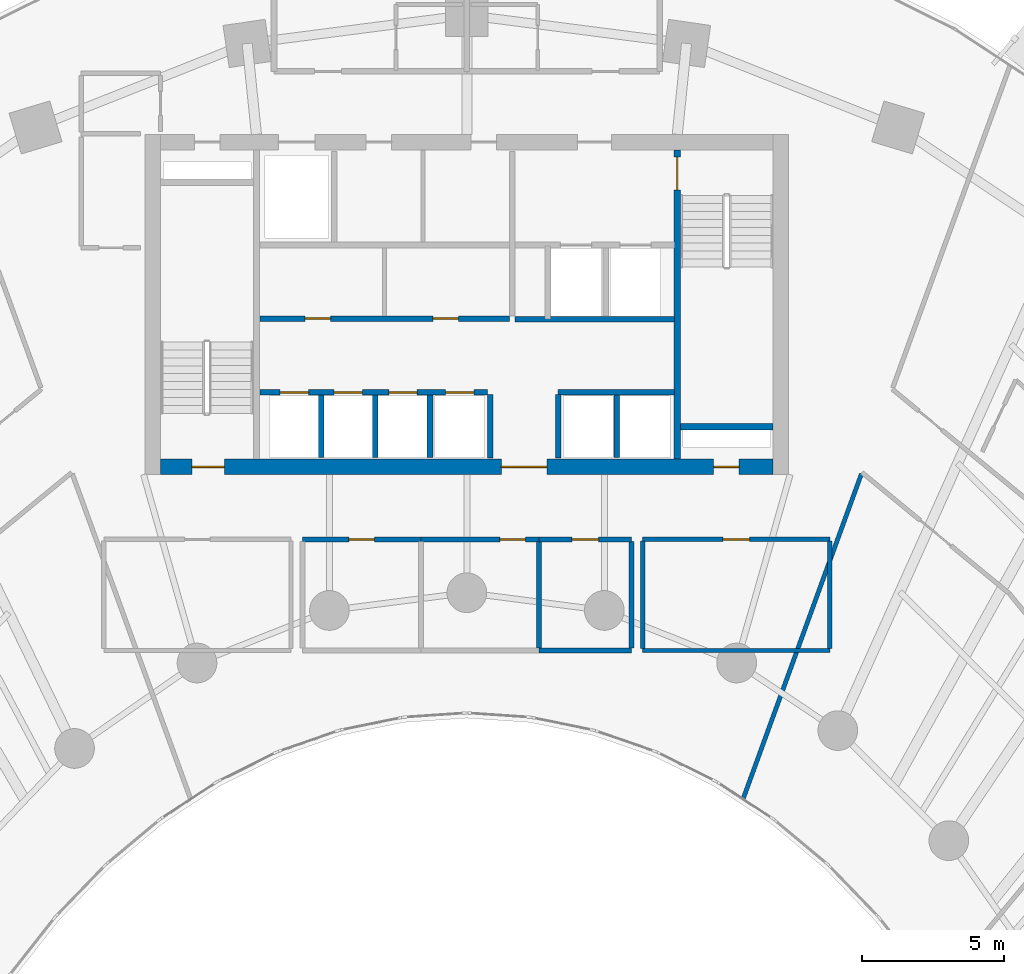
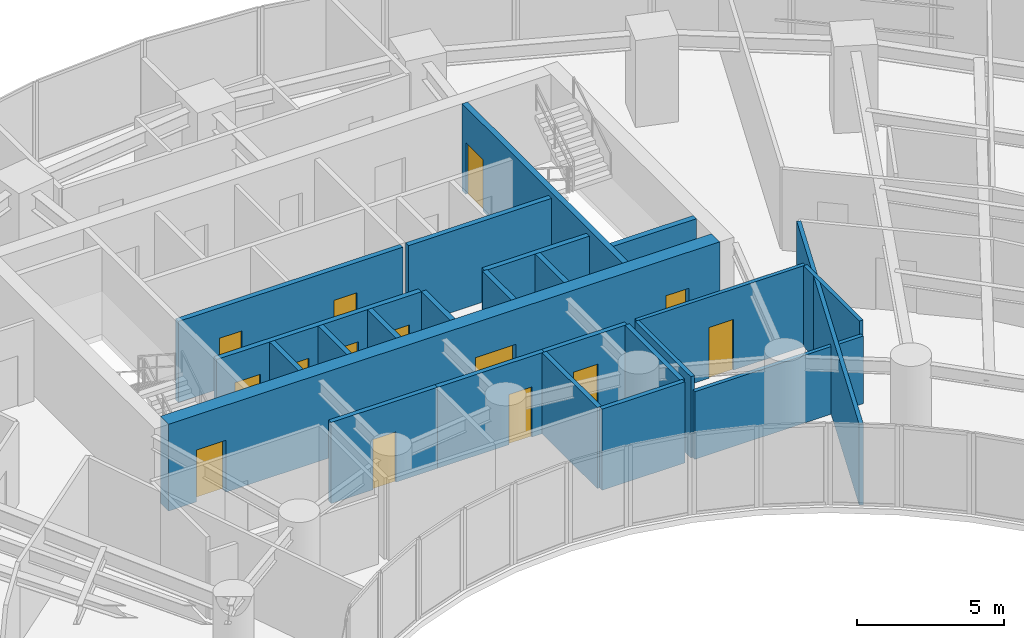
# One storey, part 12 of 17: 24 walls, 14 doors, 14 openings.
"""IFC4 building model written with IfcOpenShell, lengths in metres."""

from ifc_helpers import new_model, si_unit, direction, frame, frame_2d, origin, place, context, subcontext, project, spatial, rectangle, extrude, source, transform, mapped, material, layer, layer_set, type_object, type_shapes, element, fill, save


model = new_model("IFC4")

# Units and contexts
model_context = context("Model", 3, precision=1e-05, world=origin(), true_north=direction((0.0, 1.0)))
body_context = subcontext(model_context, "Body", "Model", "MODEL_VIEW")
ifc_project = project(units=[si_unit("LENGTHUNIT", "METRE"), si_unit("AREAUNIT", "SQUARE_METRE"), si_unit("VOLUMEUNIT", "CUBIC_METRE"), si_unit("PLANEANGLEUNIT", "RADIAN"), si_unit("MASSUNIT", "GRAM", prefix="KILO")], contexts=[model_context])

# Site, building, storey
site_placement = place(None, origin())
site = spatial("IfcSite", under=ifc_project, at=site_placement, CompositionType="ELEMENT")
building_placement = place(site_placement, origin())
building = spatial("IfcBuilding", under=site, at=building_placement, Name="Breltana Convention Tower", CompositionType="ELEMENT")
storey_placement = place(building_placement, frame((0.0, 0.0, 46.199951171875)))
storey = spatial("IfcBuildingStorey", under=building, at=storey_placement, Name="L09", CompositionType="ELEMENT", Elevation=46.199951171875)

# Wall, openings, doors
ifc_material_1 = material(Name="Concrete C60/75", Category="concrete")
ifc_layer_1 = layer(ifc_material_1, 0.550048828125, Name="Concrete C60/75")
ifc_layer_set_1 = layer_set([ifc_layer_1], Name="Concrete C60/75")
wall_type_1 = type_object("IfcWallType", Name="SW-CORE-550", PredefinedType="SHEAR", material=ifc_layer_set_1)
shared_shape_1 = source(origin(), body_context, "Body", "SweptSolid", [
    extrude(rectangle(XDim=21.60009765625, YDim=0.550048828125, at=frame_2d((10.800048828125, 0.0))), origin(), (0.0, 0.0, 1.0), 3.60009765625),
])
wall_1_placement = place(storey_placement, frame((37.199951171875, 60.47509765625, 0.0), z_axis=(0.0, 0.0, 1.0), x_axis=(1.0, 0.0, 0.0)))
wall_1 = element("IfcWall", 1, at=wall_1_placement, inside=storey, type_object=wall_type_1, Name="L09 South Core Shear Wall", PredefinedType="SHEAR", context=body_context, shape_type="MappedRepresentation", body=[
    mapped(shared_shape_1, transform((0.0, 0.0, 0.0), scale=1.0)),
])
opening_1_placement = place(wall_1_placement, frame((1.10009765625, 0.0, 0.0)))
opening_1 = element("IfcOpeningElement", 2, at=opening_1_placement, cuts=wall_1, Name="Opening D-11", PredefinedType="OPENING", context=body_context, shape_type="SweptSolid", body=[
    extrude(rectangle(XDim=1.14990234375, YDim=2.14990234375, at=frame_2d((0.574951171875, 1.074951171875))), frame((0.0, 0.28515625, 0.0), z_axis=(0.0, -1.0, 0.0), x_axis=(1.0, 0.0, 0.0)), (0.0, 0.0, 1.0), 0.570068359375),
])
opening_2_placement = place(wall_1_placement, frame((19.5, 0.0, 0.0)))
opening_2 = element("IfcOpeningElement", 3, at=opening_2_placement, cuts=wall_1, Name="Opening D-18", PredefinedType="OPENING", context=body_context, shape_type="SweptSolid", body=[
    extrude(rectangle(XDim=0.89990234375, YDim=2.10009765625, at=frame_2d((0.449951171875, 1.050048828125))), frame((0.0, 0.28515625, 0.0), z_axis=(0.0, -1.0, 0.0), x_axis=(1.0, 0.0, 0.0)), (0.0, 0.0, 1.0), 0.570068359375),
])
opening_3_placement = place(wall_1_placement, frame((12.02001953125, 0.0, 0.0)))
opening_3 = element("IfcOpeningElement", 4, at=opening_3_placement, cuts=wall_1, Name="Opening D-02", PredefinedType="OPENING", context=body_context, shape_type="SweptSolid", body=[
    extrude(rectangle(XDim=1.60009765625, YDim=2.14990234375, at=frame_2d((0.800048828125, 1.074951171875))), frame((0.0, 0.28515625, 0.0), z_axis=(0.0, -1.0, 0.0), x_axis=(1.0, 0.0, 0.0)), (0.0, 0.0, 1.0), 0.570068359375),
])
ifc_material_2 = material(Name="Steel Stair Exit Door", Category="steel")
door_type_1 = type_object("IfcDoorType", Name="DR-FD120-1150", OperationType="NOTDEFINED", PredefinedType="DOOR", material=ifc_material_2)
shared_shape_2 = source(origin(), body_context, "Body", "SweptSolid", [
    extrude(rectangle(XDim=1.14990234375, YDim=2.14990234375, at=frame_2d((0.574951171875, 1.074951171875))), frame((0.0, 0.02490234375, 0.0), z_axis=(0.0, -1.0, 0.0), x_axis=(1.0, 0.0, 0.0)), (0.0, 0.0, 1.0), 0.050048828125),
])
type_shapes(door_type_1, [shared_shape_2])
door_1_placement = place(opening_1_placement, origin())
door_1 = element("IfcDoor", 5, at=door_1_placement, inside=storey, type_object=door_type_1, Name="L09 interior door D-L09-ST1", OperationType="SINGLE_SWING_LEFT", OverallHeight=2.14990234375, OverallWidth=1.14990234375, PredefinedType="DOOR", context=body_context, shape_type="MappedRepresentation", body=[
    mapped(shared_shape_2, transform((0.0, 0.0, 0.0), scale=1.0)),
])
fill(opening_1, door_1)
ifc_material_3 = material(Name="Steel Riser Fire Door", Category="steel")
door_type_2 = type_object("IfcDoorType", Name="DR-FD60-900", OperationType="NOTDEFINED", PredefinedType="DOOR", material=ifc_material_3)
shared_shape_3 = source(origin(), body_context, "Body", "SweptSolid", [
    extrude(rectangle(XDim=0.89990234375, YDim=2.10009765625, at=frame_2d((0.449951171875, 1.050048828125))), frame((0.0, 0.02490234375, 0.0), z_axis=(0.0, -1.0, 0.0), x_axis=(1.0, 0.0, 0.0)), (0.0, 0.0, 1.0), 0.050048828125),
])
type_shapes(door_type_2, [shared_shape_3])
door_2_placement = place(opening_2_placement, origin())
door_2 = element("IfcDoor", 6, at=door_2_placement, inside=storey, type_object=door_type_2, Name="L09 Core Riser Access Door D-L09-RS2", OperationType="SINGLE_SWING_RIGHT", OverallHeight=2.10009765625, OverallWidth=0.89990234375, PredefinedType="DOOR", context=body_context, shape_type="MappedRepresentation", body=[
    mapped(shared_shape_3, transform((0.0, 0.0, 0.0), scale=1.0)),
])
fill(opening_2, door_2)
ifc_material_4 = material(Name="Steel Glazed Smoke-Control Door", Category="steel")
door_type_3 = type_object("IfcDoorType", Name="DR-DBL-FD90-1600", OperationType="DOUBLE_DOOR_SINGLE_SWING", PredefinedType="DOOR", material=ifc_material_4)
shared_shape_4 = source(origin(), body_context, "Body", "SweptSolid", [
    extrude(rectangle(XDim=1.60009765625, YDim=2.14990234375, at=frame_2d((0.800048828125, 1.074951171875))), frame((0.0, 0.02490234375, 0.0), z_axis=(0.0, -1.0, 0.0), x_axis=(1.0, 0.0, 0.0)), (0.0, 0.0, 1.0), 0.050048828125),
])
type_shapes(door_type_3, [shared_shape_4])
door_3_placement = place(opening_3_placement, origin())
door_3 = element("IfcDoor", 7, at=door_3_placement, inside=storey, type_object=door_type_3, Name="L09 interior door D-L09-LLB-S", OperationType="DOUBLE_DOOR_SINGLE_SWING", OverallHeight=2.14990234375, OverallWidth=1.60009765625, PredefinedType="DOOR", context=body_context, shape_type="MappedRepresentation", body=[
    mapped(shared_shape_4, transform((0.0, 0.0, 0.0), scale=1.0)),
])
fill(opening_3, door_3)

# Wall
ifc_material_5 = material(Name="Concrete C50/60", Category="concrete")
ifc_layer_2 = layer(ifc_material_5, 0.39990234375, Name="Concrete C50/60")
ifc_layer_set_2 = layer_set([ifc_layer_2], Name="Concrete C50/60")
wall_type_2 = type_object("IfcWallType", Name="SW-CORE-400", PredefinedType="SHEAR", material=ifc_layer_set_2)
shared_shape_5 = source(origin(), body_context, "Body", "SweptSolid", [
    extrude(rectangle(XDim=3.27001953125, YDim=0.219970703125, at=frame_2d((1.635009765625, 0.0))), origin(), (0.0, 0.0, 1.0), 3.60009765625),
])
wall_2_placement = place(storey_placement, frame((55.530029296875, 61.889892578125, 0.0), z_axis=(0.0, 0.0, 1.0), x_axis=(1.0, 0.0, 0.0)))
element("IfcWall", 8, at=wall_2_placement, inside=storey, type_object=wall_type_2, Name="L09 ST-2 Stairwell South Bearing Wall", PredefinedType="SHEAR", context=body_context, shape_type="MappedRepresentation", body=[
    mapped(shared_shape_5, transform((0.0, 0.0, 0.0), scale=1.0)),
])

# Wall, opening, door
shared_shape_6 = source(origin(), body_context, "Body", "SweptSolid", [
    extrude(rectangle(XDim=10.89990234375, YDim=0.219970703125, at=frame_2d((5.449951171875, 0.0))), origin(), (0.0, 0.0, 1.0), 3.60009765625),
])
wall_3_placement = place(storey_placement, frame((55.419921875, 60.75, 0.0), z_axis=(0.0, 0.0, 1.0), x_axis=(0.0, 1.0, 0.0)))
wall_3 = element("IfcWall", 9, at=wall_3_placement, inside=storey, type_object=wall_type_2, Name="L09 Core East Stair Spine Wall", PredefinedType="SHEAR", context=body_context, shape_type="MappedRepresentation", body=[
    mapped(shared_shape_6, transform((0.0, 0.0, 0.0), scale=1.0)),
])
opening_4_placement = place(wall_3_placement, frame((9.4951171875, 0.0, 0.0)))
opening_4 = element("IfcOpeningElement", 10, at=opening_4_placement, cuts=wall_3, Name="Opening D-11", PredefinedType="OPENING", context=body_context, shape_type="SweptSolid", body=[
    extrude(rectangle(XDim=1.14990234375, YDim=2.14990234375, at=frame_2d((0.574951171875, 1.074951171875))), frame((0.0, 0.1201171875, 0.0), z_axis=(0.0, -1.0, 0.0), x_axis=(1.0, 0.0, 0.0)), (0.0, 0.0, 1.0), 0.239990234375),
])
door_4_placement = place(opening_4_placement, origin())
door_4 = element("IfcDoor", 11, at=door_4_placement, inside=storey, type_object=door_type_1, Name="L09 interior door D-L09-ST2", OperationType="SINGLE_SWING_LEFT", OverallHeight=2.14990234375, OverallWidth=1.14990234375, PredefinedType="DOOR", context=body_context, shape_type="MappedRepresentation", body=[
    mapped(shared_shape_2, transform((0.0, 0.0, 0.0), scale=1.0)),
])
fill(opening_4, door_4)

# Walls
ifc_material_6 = material(Name="Autoclaved Aerated Concrete Block", Category="concrete")
ifc_layer_3 = layer(ifc_material_6, 0.199951171875, Name="Autoclaved Aerated Concrete Block")
ifc_layer_set_3 = layer_set([ifc_layer_3], Name="Autoclaved Aerated Concrete Block")
wall_type_3 = type_object("IfcWallType", Name="WL-SHAFT-200", PredefinedType="SOLIDWALL", material=ifc_layer_set_3)
shared_shape_7 = source(origin(), body_context, "Body", "SweptSolid", [
    extrude(rectangle(XDim=2.239990234375, YDim=0.199951171875, at=frame_2d((1.1201171875, 0.0))), origin(), (0.0, 0.0, 1.0), 3.360107421875),
])
for number, where, z_axis, x_axis, name in (
    (12, (48.820068359375, 60.780029296875, 0.0), (0.0, 0.0, 1.0), (0.0, 1.0, 0.0), "L09 interior partition W-L09-PORT-W"),
    (13, (51.219970703125, 60.780029296875, 0.0), (0.0, 0.0, 1.0), (0.0, 1.0, 0.0), "L09 interior partition W-L09-PORT-E"),
):
    element("IfcWall", number, at=place(storey_placement, frame(where, z_axis=z_axis, x_axis=x_axis)), inside=storey, type_object=wall_type_3, Name=name, PredefinedType="SOLIDWALL", context=body_context, shape_type="MappedRepresentation", body=[
        mapped(shared_shape_7, transform((0.0, 0.0, 0.0), scale=1.0)),
    ])
shared_shape_8 = source(origin(), body_context, "Body", "SweptSolid", [
    extrude(rectangle(XDim=5.6201171875, YDim=0.199951171875, at=frame_2d((2.81005859375, 0.0))), origin(), (0.0, 0.0, 1.0), 3.360107421875),
])
wall_4_placement = place(storey_placement, frame((49.699951171875, 65.679931640625, 0.0), z_axis=(0.0, 0.0, 1.0), x_axis=(1.0, 0.0, 0.0)))
element("IfcWall", 14, at=wall_4_placement, inside=storey, type_object=wall_type_3, Name="L09 interior partition W-L09-FL-S", PredefinedType="SOLIDWALL", context=body_context, shape_type="MappedRepresentation", body=[
    mapped(shared_shape_8, transform((0.0, 0.0, 0.0), scale=1.0)),
])

# Wall, openings, doors
shared_shape_9 = source(origin(), body_context, "Body", "SweptSolid", [
    extrude(rectangle(XDim=8.800048828125, YDim=0.199951171875, at=frame_2d((4.39990234375, 0.0))), origin(), (0.0, 0.0, 1.0), 3.360107421875),
])
wall_5_placement = place(storey_placement, frame((40.699951171875, 65.699951171875, 0.0), z_axis=(0.0, 0.0, 1.0), x_axis=(1.0, 0.0, 0.0)))
wall_5 = element("IfcWall", 15, at=wall_5_placement, inside=storey, type_object=wall_type_3, Name="L09 interior partition W-L09-SH-M-FRONT", PredefinedType="SOLIDWALL", context=body_context, shape_type="MappedRepresentation", body=[
    mapped(shared_shape_9, transform((0.0, 0.0, 0.0), scale=1.0)),
])
opening_5_placement = place(wall_5_placement, frame((1.60009765625, 0.0, 0.0)))
opening_5 = element("IfcOpeningElement", 16, at=opening_5_placement, cuts=wall_5, Name="Opening D-18", PredefinedType="OPENING", context=body_context, shape_type="SweptSolid", body=[
    extrude(rectangle(XDim=0.89990234375, YDim=2.10009765625, at=frame_2d((0.449951171875, 1.050048828125))), frame((0.0, 0.10986328125, 0.0), z_axis=(0.0, -1.0, 0.0), x_axis=(1.0, 0.0, 0.0)), (0.0, 0.0, 1.0), 0.219970703125),
])
opening_6_placement = place(wall_5_placement, frame((6.10009765625, 0.0, 0.0)))
opening_6 = element("IfcOpeningElement", 17, at=opening_6_placement, cuts=wall_5, Name="Opening D-18", PredefinedType="OPENING", context=body_context, shape_type="SweptSolid", body=[
    extrude(rectangle(XDim=0.89990234375, YDim=2.10009765625, at=frame_2d((0.449951171875, 1.050048828125))), frame((0.0, 0.10986328125, 0.0), z_axis=(0.0, -1.0, 0.0), x_axis=(1.0, 0.0, 0.0)), (0.0, 0.0, 1.0), 0.219970703125),
])
door_5_placement = place(opening_5_placement, origin())
door_5 = element("IfcDoor", 18, at=door_5_placement, inside=storey, type_object=door_type_2, Name="L09 interior door D-L09-LV7-B2A", OperationType="SINGLE_SWING_LEFT", OverallHeight=2.10009765625, OverallWidth=0.89990234375, PredefinedType="DOOR", context=body_context, shape_type="MappedRepresentation", body=[
    mapped(shared_shape_3, transform((0.0, 0.0, 0.0), scale=1.0)),
])
fill(opening_5, door_5)
door_6_placement = place(opening_6_placement, origin())
door_6 = element("IfcDoor", 19, at=door_6_placement, inside=storey, type_object=door_type_2, Name="L09 interior door D-L09-LV7-B2B", OperationType="SINGLE_SWING_RIGHT", OverallHeight=2.10009765625, OverallWidth=0.89990234375, PredefinedType="DOOR", context=body_context, shape_type="MappedRepresentation", body=[
    mapped(shared_shape_3, transform((0.0, 0.0, 0.0), scale=1.0)),
])
fill(opening_6, door_6)

shared_shape_10 = source(origin(), body_context, "Body", "SweptSolid", [
    extrude(rectangle(XDim=8.02001953125, YDim=0.199951171875, at=frame_2d((4.010009765625, 0.0))), origin(), (0.0, 0.0, 1.0), 3.360107421875),
])
wall_6_placement = place(storey_placement, frame((40.699951171875, 63.10009765625, 0.0), z_axis=(0.0, 0.0, 1.0), x_axis=(1.0, 0.0, 0.0)))
wall_6 = element("IfcWall", 20, at=wall_6_placement, inside=storey, type_object=wall_type_3, Name="L09 interior partition W-L09-SH-S-FRONT", PredefinedType="SOLIDWALL", context=body_context, shape_type="MappedRepresentation", body=[
    mapped(shared_shape_10, transform((0.0, 0.0, 0.0), scale=1.0)),
])
opening_7_placement = place(wall_6_placement, frame((0.719970703125, 0.0, 0.0)))
opening_7 = element("IfcOpeningElement", 21, at=opening_7_placement, cuts=wall_6, Name="Opening LD-04", PredefinedType="OPENING", context=body_context, shape_type="SweptSolid", body=[
    extrude(rectangle(XDim=1.0, YDim=2.14990234375, at=frame_2d((0.5, 1.074951171875))), frame((0.0, 0.10986328125, 0.0), z_axis=(0.0, -1.0, 0.0), x_axis=(1.0, 0.0, 0.0)), (0.0, 0.0, 1.0), 0.219970703125),
])
opening_8_placement = place(wall_6_placement, frame((2.6201171875, 0.0, 0.0)))
opening_8 = element("IfcOpeningElement", 22, at=opening_8_placement, cuts=wall_6, Name="Opening LD-04", PredefinedType="OPENING", context=body_context, shape_type="SweptSolid", body=[
    extrude(rectangle(XDim=1.0, YDim=2.14990234375, at=frame_2d((0.5, 1.074951171875))), frame((0.0, 0.10986328125, 0.0), z_axis=(0.0, -1.0, 0.0), x_axis=(1.0, 0.0, 0.0)), (0.0, 0.0, 1.0), 0.219970703125),
])
opening_9_placement = place(wall_6_placement, frame((4.550048828125, 0.0, 0.0)))
opening_9 = element("IfcOpeningElement", 23, at=opening_9_placement, cuts=wall_6, Name="Opening LD-04", PredefinedType="OPENING", context=body_context, shape_type="SweptSolid", body=[
    extrude(rectangle(XDim=1.0, YDim=2.14990234375, at=frame_2d((0.5, 1.074951171875))), frame((0.0, 0.10986328125, 0.0), z_axis=(0.0, -1.0, 0.0), x_axis=(1.0, 0.0, 0.0)), (0.0, 0.0, 1.0), 0.219970703125),
])
opening_10_placement = place(wall_6_placement, frame((6.550048828125, 0.0, 0.0)))
opening_10 = element("IfcOpeningElement", 24, at=opening_10_placement, cuts=wall_6, Name="Opening LD-04", PredefinedType="OPENING", context=body_context, shape_type="SweptSolid", body=[
    extrude(rectangle(XDim=1.0, YDim=2.14990234375, at=frame_2d((0.5, 1.074951171875))), frame((0.0, 0.10986328125, 0.0), z_axis=(0.0, -1.0, 0.0), x_axis=(1.0, 0.0, 0.0)), (0.0, 0.0, 1.0), 0.219970703125),
])
ifc_material_7 = material(Name="Stainless Steel Brushed", Category="steel")
door_type_4 = type_object("IfcDoorType", Name="DR-LD-PAX-1000", OperationType="DOUBLE_DOOR_SLIDING", PredefinedType="DOOR", material=ifc_material_7)
shared_shape_11 = source(origin(), body_context, "Body", "SweptSolid", [
    extrude(rectangle(XDim=1.0, YDim=2.14990234375, at=frame_2d((0.5, 1.074951171875))), frame((0.0, 0.02490234375, 0.0), z_axis=(0.0, -1.0, 0.0), x_axis=(1.0, 0.0, 0.0)), (0.0, 0.0, 1.0), 0.050048828125),
])
type_shapes(door_type_4, [shared_shape_11])
door_7_placement = place(opening_7_placement, origin())
door_7 = element("IfcDoor", 25, at=door_7_placement, inside=storey, type_object=door_type_4, Name="L09 Lift Landing Door D-L09-LD-S1", OperationType="DOUBLE_DOOR_SLIDING", OverallHeight=2.14990234375, OverallWidth=1.0, PredefinedType="DOOR", context=body_context, shape_type="MappedRepresentation", body=[
    mapped(shared_shape_11, transform((0.0, 0.0, 0.0), scale=1.0)),
])
fill(opening_7, door_7)
door_8_placement = place(opening_8_placement, origin())
door_8 = element("IfcDoor", 26, at=door_8_placement, inside=storey, type_object=door_type_4, Name="L09 Lift Landing Door D-L09-LD-S2", OperationType="DOUBLE_DOOR_SLIDING", OverallHeight=2.14990234375, OverallWidth=1.0, PredefinedType="DOOR", context=body_context, shape_type="MappedRepresentation", body=[
    mapped(shared_shape_11, transform((0.0, 0.0, 0.0), scale=1.0)),
])
fill(opening_8, door_8)
door_9_placement = place(opening_9_placement, origin())
door_9 = element("IfcDoor", 27, at=door_9_placement, inside=storey, type_object=door_type_4, Name="L09 Lift Landing Door D-L09-LD-S3", OperationType="DOUBLE_DOOR_SLIDING", OverallHeight=2.14990234375, OverallWidth=1.0, PredefinedType="DOOR", context=body_context, shape_type="MappedRepresentation", body=[
    mapped(shared_shape_11, transform((0.0, 0.0, 0.0), scale=1.0)),
])
fill(opening_9, door_9)
door_10_placement = place(opening_10_placement, origin())
door_10 = element("IfcDoor", 28, at=door_10_placement, inside=storey, type_object=door_type_4, Name="L09 Lift Landing Door D-L09-LD-S4", OperationType="DOUBLE_DOOR_SLIDING", OverallHeight=2.14990234375, OverallWidth=1.0, PredefinedType="DOOR", context=body_context, shape_type="MappedRepresentation", body=[
    mapped(shared_shape_11, transform((0.0, 0.0, 0.0), scale=1.0)),
])
fill(opening_10, door_10)

# Walls
shared_shape_12 = source(origin(), body_context, "Body", "SweptSolid", [
    extrude(rectangle(XDim=4.10009765625, YDim=0.199951171875, at=frame_2d((2.050048828125, 0.0))), origin(), (0.0, 0.0, 1.0), 3.360107421875),
])
wall_7_placement = place(storey_placement, frame((51.219970703125, 63.10009765625, 0.0), z_axis=(0.0, 0.0, 1.0), x_axis=(1.0, 0.0, 0.0)))
element("IfcWall", 29, at=wall_7_placement, inside=storey, type_object=wall_type_3, Name="L09 interior partition W-L09-SH-X-FRONT", PredefinedType="SOLIDWALL", context=body_context, shape_type="MappedRepresentation", body=[
    mapped(shared_shape_12, transform((0.0, 0.0, 0.0), scale=1.0)),
])
shared_shape_13 = source(origin(), body_context, "Body", "SweptSolid", [
    extrude(rectangle(XDim=2.199951171875, YDim=0.199951171875, at=frame_2d((1.10009765625, 0.0))), origin(), (0.0, 0.0, 1.0), 3.360107421875),
])
for number, where, z_axis, x_axis, name in (
    (30, (42.8701171875, 60.800048828125, 0.0), (0.0, 0.0, 1.0), (0.0, 1.0, 0.0), "L09 interior partition W-L09-SH-S-DIV1"),
    (31, (44.77001953125, 60.800048828125, 0.0), (0.0, 0.0, 1.0), (0.0, 1.0, 0.0), "L09 interior partition W-L09-SH-S-DIV2"),
    (32, (46.699951171875, 60.800048828125, 0.0), (0.0, 0.0, 1.0), (0.0, 1.0, 0.0), "L09 interior partition W-L09-SH-S-DIV3"),
    (33, (53.280029296875, 60.800048828125, 0.0), (0.0, 0.0, 1.0), (0.0, 1.0, 0.0), "L09 interior partition W-L09-SH-X-DIV"),
):
    element("IfcWall", number, at=place(storey_placement, frame(where, z_axis=z_axis, x_axis=x_axis)), inside=storey, type_object=wall_type_3, Name=name, PredefinedType="SOLIDWALL", context=body_context, shape_type="MappedRepresentation", body=[
        mapped(shared_shape_13, transform((0.0, 0.0, 0.0), scale=1.0)),
    ])
ifc_material_8 = material(Name="Gypsum Acoustic Drywall Partition")
ifc_layer_4 = layer(ifc_material_8, 0.14990234375, Name="Gypsum Acoustic Drywall Partition")
ifc_layer_set_4 = layer_set([ifc_layer_4], Name="Gypsum Acoustic Drywall Partition")
wall_type_4 = type_object("IfcWallType", Name="WL-PART-150", PredefinedType="PARTITIONING", material=ifc_layer_set_4)
shared_shape_14 = source(origin(), body_context, "Body", "SweptSolid", [
    extrude(rectangle(XDim=6.60009765625, YDim=0.14990234375, at=frame_2d((3.300048828125, 0.0))), origin(), (0.0, 0.0, 1.0), 2.802978515625),
])
wall_8_placement = place(storey_placement, frame((54.199951171875, 54.0, 0.0), z_axis=(0.0, 0.0, 1.0), x_axis=(1.0, 0.0, 0.0)))
element("IfcWall", 34, at=wall_8_placement, inside=storey, type_object=wall_type_4, Name="L09 interior partition W-L09-HMT-S", PredefinedType="PARTITIONING", context=body_context, shape_type="MappedRepresentation", body=[
    mapped(shared_shape_14, transform((0.0, 0.0, 0.0), scale=1.0)),
])

# Wall, opening, door
shared_shape_15 = source(origin(), body_context, "Body", "SweptSolid", [
    extrude(rectangle(XDim=6.60009765625, YDim=0.14990234375, at=frame_2d((3.300048828125, 0.0))), origin(), (0.0, 0.0, 1.0), 3.360107421875),
])
wall_9_placement = place(storey_placement, frame((54.199951171875, 57.919921875, 0.0), z_axis=(0.0, 0.0, 1.0), x_axis=(1.0, 0.0, 0.0)))
wall_9 = element("IfcWall", 35, at=wall_9_placement, inside=storey, type_object=wall_type_4, Name="L09 interior partition W-L09-HMT-N", PredefinedType="PARTITIONING", context=body_context, shape_type="MappedRepresentation", body=[
    mapped(shared_shape_15, transform((0.0, 0.0, 0.0), scale=1.0)),
])
opening_11_placement = place(wall_9_placement, frame((2.824951171875, 0.0, 0.0)))
opening_11 = element("IfcOpeningElement", 36, at=opening_11_placement, cuts=wall_9, Name="Opening D-17", PredefinedType="OPENING", context=body_context, shape_type="SweptSolid", body=[
    extrude(rectangle(XDim=0.949951171875, YDim=2.10009765625, at=frame_2d((0.47509765625, 1.050048828125))), frame((0.0, 0.0849609375, 0.0), z_axis=(0.0, -1.0, 0.0), x_axis=(1.0, 0.0, 0.0)), (0.0, 0.0, 1.0), 0.169921875),
])
ifc_material_9 = material(Name="Timber Oak Veneer Door", Category="wood")
door_type_5 = type_object("IfcDoorType", Name="DR-INT-950", OperationType="NOTDEFINED", PredefinedType="DOOR", material=ifc_material_9)
shared_shape_16 = source(origin(), body_context, "Body", "SweptSolid", [
    extrude(rectangle(XDim=0.949951171875, YDim=2.10009765625, at=frame_2d((0.47509765625, 1.050048828125))), frame((0.0, 0.02490234375, 0.0), z_axis=(0.0, -1.0, 0.0), x_axis=(1.0, 0.0, 0.0)), (0.0, 0.0, 1.0), 0.050048828125),
])
type_shapes(door_type_5, [shared_shape_16])
door_11_placement = place(opening_11_placement, origin())
door_11 = element("IfcDoor", 37, at=door_11_placement, inside=storey, type_object=door_type_5, Name="L09 interior door D-L09-HMT", OperationType="SINGLE_SWING_LEFT", OverallHeight=2.10009765625, OverallWidth=0.949951171875, PredefinedType="DOOR", context=body_context, shape_type="MappedRepresentation", body=[
    mapped(shared_shape_16, transform((0.0, 0.0, 0.0), scale=1.0)),
])
fill(opening_11, door_11)

# Walls
shared_shape_17 = source(origin(), body_context, "Body", "SweptSolid", [
    extrude(rectangle(XDim=3.78515625, YDim=0.14990234375, at=frame_2d((1.892578125, 0.0))), origin(), (0.0, 0.0, 1.0), 3.360107421875),
])
for number, where, z_axis, x_axis, name in (
    (38, (54.199951171875, 54.0673828125, 0.0), (0.0, 0.0, 1.0), (0.0, 1.0, 0.0), "L09 interior partition W-L09-HMT-W"),
    (39, (60.800048828125, 54.0673828125, 0.0), (0.0, 0.0, 1.0), (0.0, 1.0, 0.0), "L09 interior partition W-L09-HMT-E"),
):
    element("IfcWall", number, at=place(storey_placement, frame(where, z_axis=z_axis, x_axis=x_axis)), inside=storey, type_object=wall_type_4, Name=name, PredefinedType="PARTITIONING", context=body_context, shape_type="MappedRepresentation", body=[
        mapped(shared_shape_17, transform((0.0, 0.0, 0.0), scale=1.0)),
    ])

# Wall, opening, door
ifc_material_10 = material(Name="Moisture-Resistant Gypsum Chase Wall")
ifc_layer_5 = layer(ifc_material_10, 0.179931640625, Name="Moisture-Resistant Gypsum Chase Wall")
ifc_layer_set_5 = layer_set([ifc_layer_5], Name="Moisture-Resistant Gypsum Chase Wall")
wall_type_5 = type_object("IfcWallType", Name="WL-PLUMB-180", PredefinedType="PLUMBINGWALL", material=ifc_layer_set_5)
shared_shape_18 = source(origin(), body_context, "Body", "SweptSolid", [
    extrude(rectangle(XDim=4.176025390625, YDim=0.179931640625, at=frame_2d((2.087890625, 0.0))), origin(), (0.0, 0.0, 1.0), 3.360107421875),
])
wall_10_placement = place(storey_placement, frame((42.199951171875, 57.919921875, 0.0), z_axis=(0.0, 0.0, 1.0), x_axis=(1.0, 0.0, 0.0)))
wall_10 = element("IfcWall", 40, at=wall_10_placement, inside=storey, type_object=wall_type_5, Name="L09 interior partition W-L09-WCM-N", PredefinedType="PLUMBINGWALL", context=body_context, shape_type="MappedRepresentation", body=[
    mapped(shared_shape_18, transform((0.0, 0.0, 0.0), scale=1.0)),
])
opening_12_placement = place(wall_10_placement, frame((1.637939453125, 0.0, 0.0)))
opening_12 = element("IfcOpeningElement", 41, at=opening_12_placement, cuts=wall_10, Name="Opening D-19", PredefinedType="OPENING", context=body_context, shape_type="SweptSolid", body=[
    extrude(rectangle(XDim=0.89990234375, YDim=2.080078125, at=frame_2d((0.449951171875, 1.0400390625))), frame((0.0, 0.10009765625, 0.0), z_axis=(0.0, -1.0, 0.0), x_axis=(1.0, 0.0, 0.0)), (0.0, 0.0, 1.0), 0.199951171875),
])
ifc_material_11 = material(Name="Timber Moisture-Resistant Door", Category="wood")
door_type_6 = type_object("IfcDoorType", Name="DR-WC-900", OperationType="NOTDEFINED", PredefinedType="DOOR", material=ifc_material_11)
shared_shape_19 = source(origin(), body_context, "Body", "SweptSolid", [
    extrude(rectangle(XDim=0.89990234375, YDim=2.080078125, at=frame_2d((0.449951171875, 1.0400390625))), frame((0.0, 0.02490234375, 0.0), z_axis=(0.0, -1.0, 0.0), x_axis=(1.0, 0.0, 0.0)), (0.0, 0.0, 1.0), 0.050048828125),
])
type_shapes(door_type_6, [shared_shape_19])
door_12_placement = place(opening_12_placement, origin())
door_12 = element("IfcDoor", 42, at=door_12_placement, inside=storey, type_object=door_type_6, Name="L09 interior door D-L09-WCM", OperationType="SINGLE_SWING_RIGHT", OverallHeight=2.080078125, OverallWidth=0.89990234375, PredefinedType="DOOR", context=body_context, shape_type="MappedRepresentation", body=[
    mapped(shared_shape_19, transform((0.0, 0.0, 0.0), scale=1.0)),
])
fill(opening_12, door_12)

wall_11_placement = place(storey_placement, frame((46.3759765625, 57.919921875, 0.0), z_axis=(0.0, 0.0, 1.0), x_axis=(1.0, 0.0, 0.0)))
wall_11 = element("IfcWall", 43, at=wall_11_placement, inside=storey, type_object=wall_type_5, Name="L09 interior partition W-L09-WCF-N", PredefinedType="PLUMBINGWALL", context=body_context, shape_type="MappedRepresentation", body=[
    mapped(shared_shape_18, transform((0.0, 0.0, 0.0), scale=1.0)),
])
opening_13_placement = place(wall_11_placement, frame((2.7880859375, 0.0, 0.0)))
opening_13 = element("IfcOpeningElement", 44, at=opening_13_placement, cuts=wall_11, Name="Opening D-19", PredefinedType="OPENING", context=body_context, shape_type="SweptSolid", body=[
    extrude(rectangle(XDim=0.89990234375, YDim=2.080078125, at=frame_2d((0.449951171875, 1.0400390625))), frame((0.0, 0.10009765625, 0.0), z_axis=(0.0, -1.0, 0.0), x_axis=(1.0, 0.0, 0.0)), (0.0, 0.0, 1.0), 0.199951171875),
])
door_13_placement = place(opening_13_placement, origin())
door_13 = element("IfcDoor", 45, at=door_13_placement, inside=storey, type_object=door_type_6, Name="L09 interior door D-L09-WCF", OperationType="SINGLE_SWING_LEFT", OverallHeight=2.080078125, OverallWidth=0.89990234375, PredefinedType="DOOR", context=body_context, shape_type="MappedRepresentation", body=[
    mapped(shared_shape_19, transform((0.0, 0.0, 0.0), scale=1.0)),
])
fill(opening_13, door_13)

# Walls
ifc_material_12 = material(Name="Cement Board Wet-Area Partition")
ifc_layer_6 = layer(ifc_material_12, 0.175048828125, Name="Cement Board Wet-Area Partition")
ifc_layer_set_6 = layer_set([ifc_layer_6], Name="Cement Board Wet-Area Partition")
wall_type_6 = type_object("IfcWallType", Name="WL-WET-175", PredefinedType="PARTITIONING", material=ifc_layer_set_6)
shared_shape_20 = source(origin(), body_context, "Body", "SweptSolid", [
    extrude(rectangle(XDim=3.7626953125, YDim=0.175048828125, at=frame_2d((1.88134765625, 0.0))), origin(), (0.0, 0.0, 1.0), 3.360107421875),
])
for number, where, z_axis, x_axis, name in (
    (46, (50.552001953125, 54.07861328125, 0.0), (0.0, 0.0, 1.0), (0.0, 1.0, 0.0), "L09 interior partition W-L09-WCF-E"),
    (47, (53.800048828125, 54.07861328125, 0.0), (0.0, 0.0, 1.0), (0.0, 1.0, 0.0), "L09 interior partition W-L09-WCA-E"),
):
    element("IfcWall", number, at=place(storey_placement, frame(where, z_axis=z_axis, x_axis=x_axis)), inside=storey, type_object=wall_type_6, Name=name, PredefinedType="PARTITIONING", context=body_context, shape_type="MappedRepresentation", body=[
        mapped(shared_shape_20, transform((0.0, 0.0, 0.0), scale=1.0)),
    ])
shared_shape_21 = source(origin(), body_context, "Body", "SweptSolid", [
    extrude(rectangle(XDim=3.248046875, YDim=0.175048828125, at=frame_2d((1.6240234375, 0.0))), origin(), (0.0, 0.0, 1.0), 3.360107421875),
])
wall_12_placement = place(storey_placement, frame((50.552001953125, 54.0, 0.0), z_axis=(0.0, 0.0, 1.0), x_axis=(1.0, 0.0, 0.0)))
element("IfcWall", 48, at=wall_12_placement, inside=storey, type_object=wall_type_6, Name="L09 interior partition W-L09-WCA-S", PredefinedType="PARTITIONING", context=body_context, shape_type="MappedRepresentation", body=[
    mapped(shared_shape_21, transform((0.0, 0.0, 0.0), scale=1.0)),
])

# Wall, opening, door
shared_shape_22 = source(origin(), body_context, "Body", "SweptSolid", [
    extrude(rectangle(XDim=3.248046875, YDim=0.179931640625, at=frame_2d((1.6240234375, 0.0))), origin(), (0.0, 0.0, 1.0), 3.360107421875),
])
wall_13_placement = place(storey_placement, frame((50.552001953125, 57.919921875, 0.0), z_axis=(0.0, 0.0, 1.0), x_axis=(1.0, 0.0, 0.0)))
wall_13 = element("IfcWall", 49, at=wall_13_placement, inside=storey, type_object=wall_type_5, Name="L09 interior partition W-L09-WCA-N", PredefinedType="PLUMBINGWALL", context=body_context, shape_type="MappedRepresentation", body=[
    mapped(shared_shape_22, transform((0.0, 0.0, 0.0), scale=1.0)),
])
opening_14_placement = place(wall_13_placement, frame((1.14892578125, 0.0, 0.0)))
opening_14 = element("IfcOpeningElement", 50, at=opening_14_placement, cuts=wall_13, Name="Opening D-16", PredefinedType="OPENING", context=body_context, shape_type="SweptSolid", body=[
    extrude(rectangle(XDim=0.949951171875, YDim=2.1201171875, at=frame_2d((0.47509765625, 1.06005859375))), frame((0.0, 0.10009765625, 0.0), z_axis=(0.0, -1.0, 0.0), x_axis=(1.0, 0.0, 0.0)), (0.0, 0.0, 1.0), 0.199951171875),
])
ifc_material_13 = material(Name="Timber Laminate Accessible Door", Category="wood")
door_type_7 = type_object("IfcDoorType", Name="DR-ACC-950", OperationType="NOTDEFINED", PredefinedType="DOOR", material=ifc_material_13)
shared_shape_23 = source(origin(), body_context, "Body", "SweptSolid", [
    extrude(rectangle(XDim=0.949951171875, YDim=2.1201171875, at=frame_2d((0.47509765625, 1.06005859375))), frame((0.0, 0.02490234375, 0.0), z_axis=(0.0, -1.0, 0.0), x_axis=(1.0, 0.0, 0.0)), (0.0, 0.0, 1.0), 0.050048828125),
])
type_shapes(door_type_7, [shared_shape_23])
door_14_placement = place(opening_14_placement, origin())
door_14 = element("IfcDoor", 51, at=door_14_placement, inside=storey, type_object=door_type_7, Name="L09 interior door D-L09-WCA", OperationType="SINGLE_SWING_RIGHT", OverallHeight=2.1201171875, OverallWidth=0.949951171875, PredefinedType="DOOR", context=body_context, shape_type="MappedRepresentation", body=[
    mapped(shared_shape_23, transform((0.0, 0.0, 0.0), scale=1.0)),
])
fill(opening_14, door_14)

# Wall
shared_shape_24 = source(origin(), body_context, "Body", "SweptSolid", [
    extrude(rectangle(XDim=12.1962890625, YDim=0.14990234375, at=frame_2d((6.09814453125, 0.0))), origin(), (0.0, 0.0, 1.0), 3.360107421875),
])
wall_14_placement = place(storey_placement, frame((57.742431640625, 48.766357421875, 0.0), z_axis=(0.0, 0.0, 1.0), x_axis=(0.342022711534, 0.939691686031, 0.0)))
element("IfcWall", 52, at=wall_14_placement, inside=storey, type_object=wall_type_4, Name="L09 interior partition W-L09-HCF2-RA", PredefinedType="PARTITIONING", context=body_context, shape_type="MappedRepresentation", body=[
    mapped(shared_shape_24, transform((0.0, 0.0, 0.0), scale=1.0)),
])

save(model, "model.ifc")
